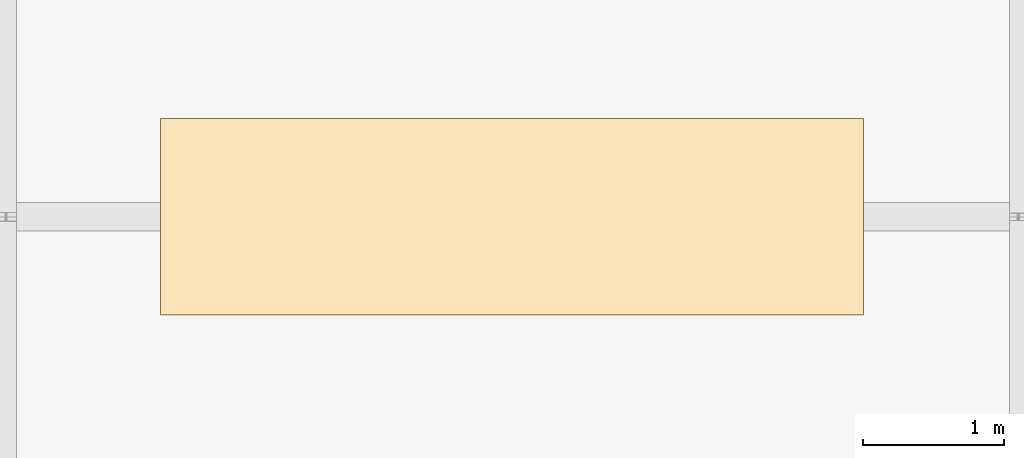
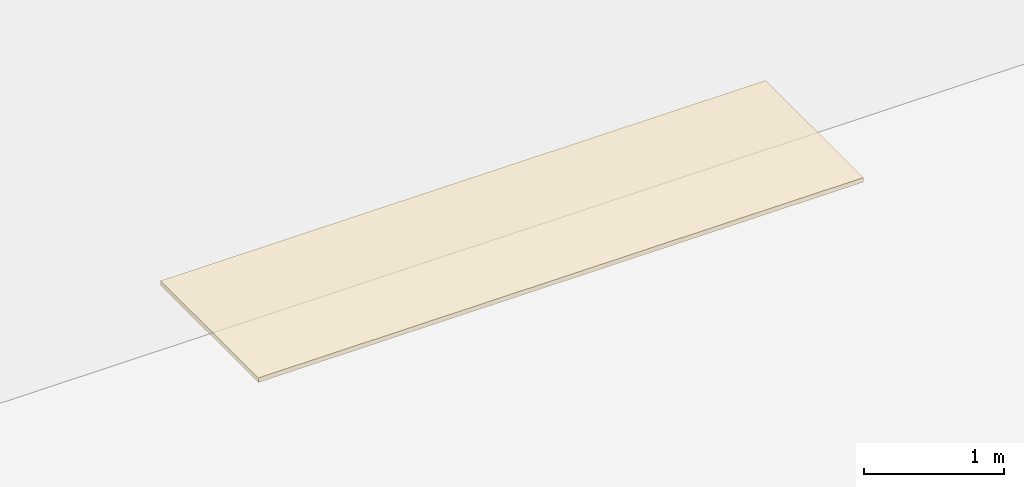
# One storey, part 53 of 53: 1 covering, 1 element without a shape of its own.
"""IFC4 building model written with IfcOpenShell, lengths in metres."""

import ifcopenshell
import ifcopenshell.guid

model = None  # the IFC model being written
_history = None  # IfcOwnerHistory: only IFC2X3 demands one
_inside = {}  # id of a spatial element -> (the spatial element, [elements in it])
_under = {}  # id of a project, library or spatial element -> (it, [spatial elements below it])
_declared = {}  # id of a project -> (the project, [libraries it declares])
_typed = {}  # id of a type object -> (the type object, [elements of that type])
_made_of = {}  # id of a material, layer set ... -> (it, [elements and type objects made of it])


def new_model(schema):
    """Start an empty IFC model of exactly this schema.

    Asked for "IFC4X3", IfcOpenShell would pick the latest addendum, in which some entities
    have other attributes; the version numbers below select the first issue.
    IFC2X3 requires an IfcOwnerHistory on every rooted entity: one is made here for all.
    """
    global model, _history
    if schema == "IFC4X3":
        model = ifcopenshell.file(schema_version=(4, 3, 0, 0))
    else:
        model = ifcopenshell.file(schema=schema)
    _inside.clear()
    _under.clear()
    _declared.clear()
    _typed.clear()
    _made_of.clear()
    _history = None
    if model.schema == "IFC2X3":
        org = make("IfcOrganization", Name="unknown")
        user = make(
            "IfcPersonAndOrganization",
            ThePerson=make("IfcPerson", FamilyName="unknown"),
            TheOrganization=org,
        )
        app = make(
            "IfcApplication",
            ApplicationDeveloper=org,
            Version="unknown",
            ApplicationFullName="unknown",
            ApplicationIdentifier="unknown",
        )
        _history = make(
            "IfcOwnerHistory",
            OwningUser=user,
            OwningApplication=app,
            ChangeAction="ADDED",
            CreationDate=0,
        )
    return model


def make(cls, **values):
    """One entity of the class cls with the attributes given. An attribute that is None is left unset."""
    return model.create_entity(
        cls, **{name: value for name, value in values.items() if value is not None}
    )


def rooted(cls, **values):
    """An entity with a GlobalId (a new one), such as an element, a storey or a relation."""
    return make(cls, GlobalId=ifcopenshell.guid.new(), OwnerHistory=_history, **values)


def si_unit(unit_type, name, prefix=None):
    """IfcSIUnit, for example si_unit("LENGTHUNIT", "METRE", prefix="MILLI")."""
    return make("IfcSIUnit", UnitType=unit_type, Prefix=prefix, Name=name)


def assignment(units):
    """IfcUnitAssignment: the units of a project."""
    return None if units is None else make("IfcUnitAssignment", Units=units)


def point(xyz):
    """IfcCartesianPoint."""
    return None if xyz is None else make("IfcCartesianPoint", Coordinates=xyz)


def direction(xyz):
    """IfcDirection."""
    return None if xyz is None else make("IfcDirection", DirectionRatios=xyz)


def frame(location, z_axis=None, x_axis=None):
    """IfcAxis2Placement3D, a coordinate frame: its origin and axes. An axis left out is left unset."""
    return make(
        "IfcAxis2Placement3D",
        Location=point(location),
        Axis=direction(z_axis),
        RefDirection=direction(x_axis),
    )


def frame_2d(location, x_axis=None):
    """IfcAxis2Placement2D, a coordinate frame in the plane: its origin and x axis."""
    return make(
        "IfcAxis2Placement2D", Location=point(location), RefDirection=direction(x_axis)
    )


def origin():
    """The frame at (0, 0, 0) with its axes left unset."""
    return frame((0.0, 0.0, 0.0))


def origin_2d():
    """The frame at (0, 0) in the plane with its x axis left unset."""
    return frame_2d((0.0, 0.0))


def place(relative_to, where):
    """IfcLocalPlacement: puts the frame where relative to a parent placement (None: the world)."""
    return make(
        "IfcLocalPlacement", PlacementRelTo=relative_to, RelativePlacement=where
    )


def context(
    kind, dimensions, precision=None, world=None, true_north=None, identifier=None
):
    """IfcGeometricRepresentationContext, for example the 3D "Model" context."""
    return make(
        "IfcGeometricRepresentationContext",
        ContextIdentifier=identifier,
        ContextType=kind,
        CoordinateSpaceDimension=dimensions,
        Precision=precision,
        WorldCoordinateSystem=world,
        TrueNorth=true_north,
    )


def subcontext(parent, identifier, kind, view, scale=None):
    """IfcGeometricRepresentationSubContext, for example "Body" below "Model"."""
    return make(
        "IfcGeometricRepresentationSubContext",
        ContextIdentifier=identifier,
        ContextType=kind,
        ParentContext=parent,
        TargetScale=scale,
        TargetView=view,
    )


def project(units=None, contexts=None):
    """IfcProject with its units and contexts."""
    return rooted(
        "IfcProject",
        Name="project",
        RepresentationContexts=contexts,
        UnitsInContext=assignment(units),
    )


def spatial(cls, under=None, at=None, **own):
    """A site, building, storey or space (cls), placed at a placement, below another one or the project."""
    s = rooted(cls, ObjectPlacement=at, **own)
    if under is not None:
        _under.setdefault(under.id(), (under, []))[1].append(s)
    return s


def profile(cls, at=None, kind="AREA", **sizes):
    """A parametric profile (cls). Its sizes go by their IFC names, for example OverallWidth=200.0."""
    return make(cls, ProfileType=kind, Position=at, **sizes)


def rectangle(**sizes):
    """IfcRectangleProfileDef."""
    return profile("IfcRectangleProfileDef", **sizes)


def extrude(swept, where, along, depth):
    """IfcExtrudedAreaSolid: the profile swept, set in the frame where, extruded along a direction by depth."""
    return make(
        "IfcExtrudedAreaSolid",
        SweptArea=swept,
        Position=where,
        ExtrudedDirection=direction(along),
        Depth=depth,
    )


def shape(context_of_items, identifier, shape_type, items):
    """IfcShapeRepresentation: the items that make up one representation, for example the "Body"."""
    return make(
        "IfcShapeRepresentation",
        ContextOfItems=context_of_items,
        RepresentationIdentifier=identifier,
        RepresentationType=shape_type,
        Items=items,
    )


def material(Name=None, Category=None):
    """IfcMaterial."""
    return make("IfcMaterial", Name=Name, Category=Category)


def layer(
    of_material, thickness, ventilated=None, Name=None, Category=None, Priority=None
):
    """IfcMaterialLayer: one layer of a wall or slab, of a material (None: an air gap)."""
    return make(
        "IfcMaterialLayer",
        Material=of_material,
        LayerThickness=thickness,
        IsVentilated=ventilated,
        Name=Name,
        Category=Category,
        Priority=Priority,
    )


def layer_set(layers, Name=None):
    """IfcMaterialLayerSet."""
    return make("IfcMaterialLayerSet", MaterialLayers=layers, LayerSetName=Name)


def made_of(thing, what):
    """Note that an element or type object is made of a material, layer set ...; save() writes the relation."""
    if what is not None:
        _made_of.setdefault(what.id(), (what, []))[1].append(thing)
    return thing


def type_object(cls, material=None, **own):
    """A type object (cls), such as IfcWallType, which elements share."""
    return made_of(rooted(cls, **own), material)


def element(
    cls,
    number,
    at=None,
    inside=None,
    cuts=None,
    type_object=None,
    material=None,
    context=None,
    identifier="Body",
    shape_type=None,
    held_by="IfcProductDefinitionShape",
    body=None,
    shapes=None,
    **own,
):
    """One element of the class cls, such as IfcWall. Its Tag is "e" and its number.

    at: its placement. inside: the storey or other place that contains it. cuts: it is an
    opening in that element (IfcRelVoidsElement). A single representation is given by context,
    identifier, shape_type and body (its items); several are given by shapes. held_by: the class
    of the entity that holds the representations. save() writes the other relations.
    """
    e = rooted(cls, Tag="e%d" % number, ObjectPlacement=at, **own)
    if body is not None:
        shapes = [shape(context, identifier, shape_type, body)]
    if shapes is not None:
        e.Representation = make(held_by, Representations=shapes)
    if inside is not None:
        _inside.setdefault(inside.id(), (inside, []))[1].append(e)
    if cuts is not None:
        rooted(
            "IfcRelVoidsElement", RelatingBuildingElement=cuts, RelatedOpeningElement=e
        )
    if type_object is not None:
        _typed.setdefault(type_object.id(), (type_object, []))[1].append(e)
    return made_of(e, material)


def aggregate(whole, parts):
    """IfcRelAggregates: a whole, such as a stair, and the parts it consists of."""
    return rooted("IfcRelAggregates", RelatingObject=whole, RelatedObjects=parts)


def save(model, path):
    """Write the relations noted so far, then the file.

    IfcRelAggregates (storeys below a building ...), IfcRelContainedInSpatialStructure (elements
    in a storey), IfcRelDefinesByType, IfcRelAssociatesMaterial and IfcRelDeclares: one each for
    every whole, place, type object, material and project.
    """
    for whole, parts in _under.values():
        aggregate(whole, parts)
    for where, things in _inside.values():
        rooted(
            "IfcRelContainedInSpatialStructure",
            RelatedElements=things,
            RelatingStructure=where,
        )
    for kind, things in _typed.values():
        rooted("IfcRelDefinesByType", RelatedObjects=things, RelatingType=kind)
    for what, things in _made_of.values():
        rooted("IfcRelAssociatesMaterial", RelatedObjects=things, RelatingMaterial=what)
    for by, libraries in _declared.values():
        rooted("IfcRelDeclares", RelatingContext=by, RelatedDefinitions=libraries)
    model.write(path)


model = new_model("IFC4")

# Units and contexts
model_context = context("Model", 3, precision=1e-05, world=origin(), true_north=direction((0.0, 1.0)))
body_context = subcontext(model_context, "Body", "Model", "MODEL_VIEW")
ifc_project = project(units=[si_unit("LENGTHUNIT", "METRE"), si_unit("AREAUNIT", "SQUARE_METRE"), si_unit("VOLUMEUNIT", "CUBIC_METRE"), si_unit("PLANEANGLEUNIT", "RADIAN"), si_unit("MASSUNIT", "GRAM", prefix="KILO")], contexts=[model_context])

# Site, building, storey
site_placement = place(None, origin())
site = spatial("IfcSite", under=ifc_project, at=site_placement, CompositionType="ELEMENT")
building_placement = place(site_placement, origin())
building = spatial("IfcBuilding", under=site, at=building_placement, Name="Kazehaya Institute of Natural Sciences", CompositionType="ELEMENT")
storey_placement = place(building_placement, frame((0.0, 0.0, 33.300048828125)))
storey = spatial("IfcBuildingStorey", under=building, at=storey_placement, Name="L07", CompositionType="ELEMENT", Elevation=33.300048828125)

# Roof, covering
ifc_material = material(Name="Copper standing-seam roofing", Category="copper")
roof_type = type_object("IfcRoofType", Name="RF-HIPPED", PredefinedType="HIP_ROOF", material=ifc_material)
roof_placement = place(storey_placement, origin())
roof = element("IfcRoof", 1, at=roof_placement, inside=storey, type_object=roof_type, Name="Hipped copper roof ROOF-VOL5", PredefinedType="HIP_ROOF")
ifc_layer = layer(ifc_material, 0.0400390625, Name="Copper standing-seam roofing", Category="copper")
ifc_layer_set = layer_set([ifc_layer], Name="Copper standing-seam roofing")
covering_type = type_object("IfcCoveringType", Name="COV-ROOF-CU", PredefinedType="ROOFING", material=ifc_layer_set)
covering_placement = place(storey_placement, frame((87.0, 96.800048828125, 2.564208984375), z_axis=(0.0, 0.0, 1.0), x_axis=(1.0, 0.0, 0.0)))
covering = element("IfcCovering", 2, at=covering_placement, type_object=covering_type, Name="L07 standing-seam roof covering 6", PredefinedType="ROOFING", context=body_context, shape_type="SweptSolid", body=[
    extrude(rectangle(XDim=5.0, YDim=1.39990234375, at=origin_2d()), origin(), (0.0, 0.0, 1.0), 0.0400390625),
])
aggregate(roof, [covering])

save(model, "model.ifc")
